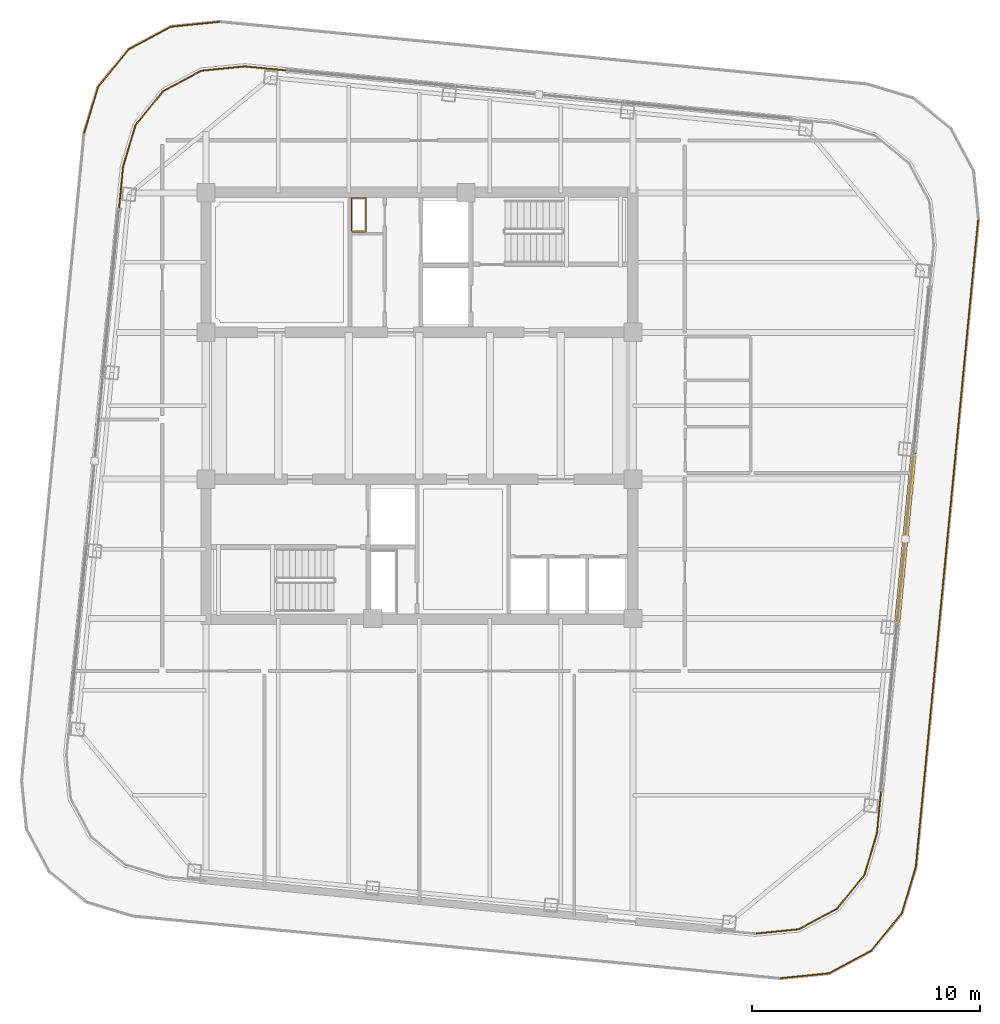
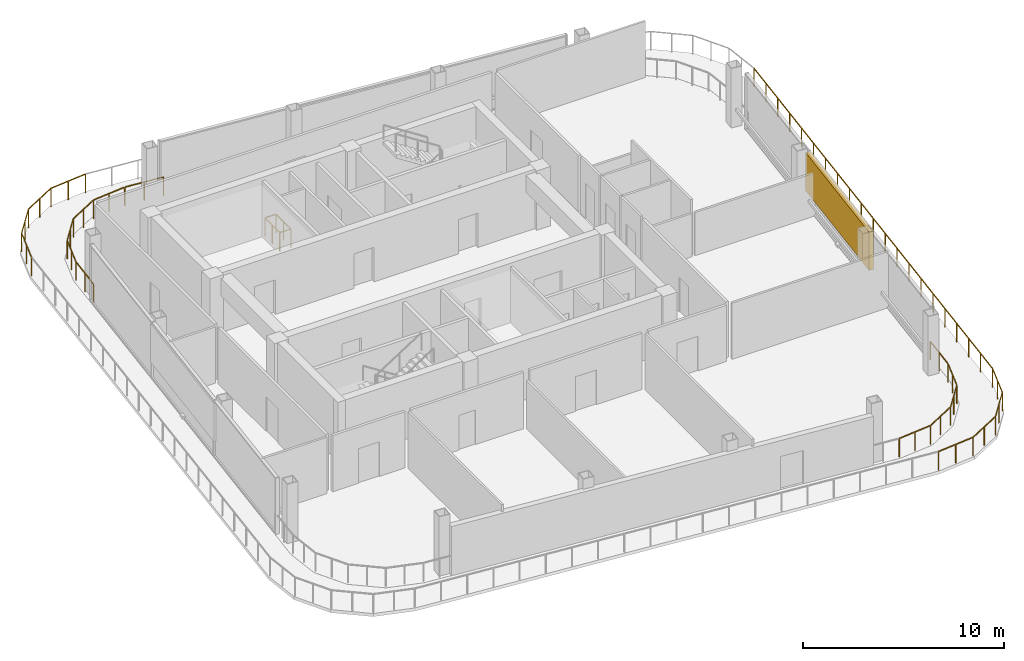
# One storey, part 21 of 23: 12 railings, 1 shading device.
"""IFC4 building model written with IfcOpenShell, lengths in metres."""

from ifc_helpers import new_model, si_unit, direction, frame, origin, origin_2d, place, context, subcontext, project, spatial, rectangle, extrude, material, type_object, element, save


model = new_model("IFC4")

# Units and contexts
model_context = context("Model", 3, precision=1e-05, world=origin(), true_north=direction((0.0, 1.0)))
body_context = subcontext(model_context, "Body", "Model", "MODEL_VIEW")
ifc_project = project(units=[si_unit("LENGTHUNIT", "METRE"), si_unit("AREAUNIT", "SQUARE_METRE"), si_unit("VOLUMEUNIT", "CUBIC_METRE"), si_unit("PLANEANGLEUNIT", "RADIAN"), si_unit("MASSUNIT", "GRAM", prefix="KILO")], contexts=[model_context])

# Site, building, storey
site_placement = place(None, origin())
site = spatial("IfcSite", under=ifc_project, at=site_placement, CompositionType="ELEMENT")
building_placement = place(site_placement, origin())
building = spatial("IfcBuilding", under=site, at=building_placement, Name="Qhalaya Broadcast Tower", CompositionType="ELEMENT")
storey_placement = place(building_placement, frame((0.0, 0.0, 276.949951171875)))
storey = spatial("IfcBuildingStorey", under=building, at=storey_placement, Name="L82", CompositionType="ELEMENT", Elevation=276.949951171875)

# Railings
ifc_material_1 = material(Name="Powder-Coated Galvanised Steel", Category="steel")
railing_type_1 = type_object("IfcRailingType", Name="Stair Well & Landing Guardrail 1100", PredefinedType="GUARDRAIL", material=ifc_material_1)
railing_1_placement = place(storey_placement, frame((-2.340087890625, 8.239990234375, 0.0)))
element("IfcRailing", 1, at=railing_1_placement, inside=storey, type_object=railing_type_1, Name="L82 Service Riser Opening Safety Guard NRSR", PredefinedType="GUARDRAIL", context=body_context, shape_type="SweptSolid", body=[
    extrude(rectangle(XDim=0.048095703125, YDim=0.048095703125, at=origin_2d()), frame((0.0, 0.02880859375, 1.1259765625), z_axis=(0.0, 1.0, 0.0), x_axis=(-1.0, 0.0, 0.0)), (0.0, 0.0, 1.0), 1.42236328125),
    extrude(rectangle(XDim=0.048095703125, YDim=0.048095703125, at=origin_2d()), frame((-0.02880859375, 1.47998046875, 1.1259765625), z_axis=(-1.0, 0.0, 0.0), x_axis=(0.0, -1.0, 0.0)), (0.0, 0.0, 1.0), 0.582275390625),
    extrude(rectangle(XDim=0.048095703125, YDim=0.048095703125, at=origin_2d()), frame((-0.639892578125, 1.451171875, 1.1259765625), z_axis=(0.0, -1.0, 0.0), x_axis=(1.0, 0.0, 0.0)), (0.0, 0.0, 1.0), 1.42236328125),
    extrude(rectangle(XDim=0.048095703125, YDim=0.048095703125, at=origin_2d()), frame((-0.611083984375, 0.0, 1.1259765625), z_axis=(1.0, 0.0, 0.0), x_axis=(0.0, 1.0, 0.0)), (0.0, 0.0, 1.0), 0.582275390625),
    extrude(rectangle(XDim=0.0419921875, YDim=0.0419921875, at=origin_2d()), origin(), (0.0, 0.0, 1.0), 1.099853515625),
    extrude(rectangle(XDim=0.0419921875, YDim=0.0419921875, at=origin_2d()), frame((0.0, 0.739990234375, 0.0)), (0.0, 0.0, 1.0), 1.099853515625),
    extrude(rectangle(XDim=0.0419921875, YDim=0.0419921875, at=origin_2d()), frame((0.0, 1.47998046875, 0.0)), (0.0, 0.0, 1.0), 1.099853515625),
    extrude(rectangle(XDim=0.0419921875, YDim=0.0419921875, at=origin_2d()), frame((-0.639892578125, 1.47998046875, 0.0)), (0.0, 0.0, 1.0), 1.099853515625),
    extrude(rectangle(XDim=0.0419921875, YDim=0.0419921875, at=origin_2d()), frame((-0.639892578125, 0.739990234375, 0.0)), (0.0, 0.0, 1.0), 1.099853515625),
    extrude(rectangle(XDim=0.0419921875, YDim=0.0419921875, at=origin_2d()), frame((-0.639892578125, 0.0, 0.0)), (0.0, 0.0, 1.0), 1.099853515625),
])
railing_type_2 = type_object("IfcRailingType", Name="Terrace, Sky-Pool & Lookout Glass Balustrade 1150", PredefinedType="BALUSTRADE", material=ifc_material_1)
railing_2_placement = place(storey_placement, frame((-14.719482421875, 12.576416015625, 0.0)))
element("IfcRailing", 2, at=railing_2_placement, inside=storey, type_object=railing_type_2, Name="L82 Perimeter Safety Balustrade BAL-TER1-07", PredefinedType="BALUSTRADE", context=body_context, shape_type="SweptSolid", body=[
    extrude(rectangle(XDim=0.048095703125, YDim=0.048095703125, at=origin_2d()), frame((0.0, 0.0, 1.1259765625), z_axis=(0.288170989429, 0.957578968467, 0.0), x_axis=(-0.957578968467, 0.288170989429, 0.0)), (0.0, 0.0, 1.0), 2.122314453125),
    extrude(rectangle(XDim=0.0419921875, YDim=0.0419921875, at=origin_2d()), origin(), (0.0, 0.0, 1.0), 1.099853515625),
    extrude(rectangle(XDim=0.0419921875, YDim=0.0419921875, at=origin_2d()), frame((0.3056640625, 1.01611328125, 0.0)), (0.0, 0.0, 1.0), 1.099853515625),
    extrude(rectangle(XDim=0.0419921875, YDim=0.0419921875, at=origin_2d()), frame((0.611572265625, 2.0322265625, 0.0)), (0.0, 0.0, 1.0), 1.099853515625),
])
railing_3_placement = place(storey_placement, frame((-14.10791015625, 14.608642578125, 0.0)))
element("IfcRailing", 3, at=railing_3_placement, inside=storey, type_object=railing_type_2, Name="L82 Perimeter Safety Balustrade BAL-TER1-08", PredefinedType="BALUSTRADE", context=body_context, shape_type="SweptSolid", body=[
    extrude(rectangle(XDim=0.048095703125, YDim=0.048095703125, at=origin_2d()), frame((0.0, 0.0, 1.1259765625), z_axis=(0.63277236839, 0.774337865406, 0.0), x_axis=(-0.774337865406, 0.63277236839, 0.0)), (0.0, 0.0, 1.0), 2.1142578125),
    extrude(rectangle(XDim=0.0419921875, YDim=0.0419921875, at=origin_2d()), origin(), (0.0, 0.0, 1.0), 1.099853515625),
    extrude(rectangle(XDim=0.0419921875, YDim=0.0419921875, at=origin_2d()), frame((0.6689453125, 0.818603515625, 0.0)), (0.0, 0.0, 1.0), 1.099853515625),
    extrude(rectangle(XDim=0.0419921875, YDim=0.0419921875, at=origin_2d()), frame((1.337890625, 1.63720703125, 0.0)), (0.0, 0.0, 1.0), 1.099853515625),
])
railing_4_placement = place(storey_placement, frame((-12.77001953125, 16.245849609375, 0.0)))
element("IfcRailing", 4, at=railing_4_placement, inside=storey, type_object=railing_type_2, Name="L82 Perimeter Safety Balustrade BAL-TER1-09", PredefinedType="BALUSTRADE", context=body_context, shape_type="SweptSolid", body=[
    extrude(rectangle(XDim=0.048095703125, YDim=0.048095703125, at=origin_2d()), frame((0.0, 0.0, 1.1259765625), z_axis=(0.880923105404, 0.473259423957, 0.0), x_axis=(-0.473259423957, 0.880923105404, 0.0)), (0.0, 0.0, 1.0), 2.114013671875),
    extrude(rectangle(XDim=0.0419921875, YDim=0.0419921875, at=origin_2d()), origin(), (0.0, 0.0, 1.0), 1.099853515625),
    extrude(rectangle(XDim=0.0419921875, YDim=0.0419921875, at=origin_2d()), frame((0.93115234375, 0.500244140625, 0.0)), (0.0, 0.0, 1.0), 1.099853515625),
    extrude(rectangle(XDim=0.0419921875, YDim=0.0419921875, at=origin_2d()), frame((1.8623046875, 1.00048828125, 0.0)), (0.0, 0.0, 1.0), 1.099853515625),
])
railing_5_placement = place(storey_placement, frame((-10.90771484375, 17.246337890625, 0.0)))
element("IfcRailing", 5, at=railing_5_placement, inside=storey, type_object=railing_type_2, Name="L82 Perimeter Safety Balustrade BAL-TER1-10", PredefinedType="BALUSTRADE", context=body_context, shape_type="SweptSolid", body=[
    extrude(rectangle(XDim=0.048095703125, YDim=0.048095703125, at=origin_2d()), frame((0.0, 0.0, 1.1259765625), z_axis=(0.99496746898, 0.100198481383, 0.0), x_axis=(-0.100198481383, 0.99496746898, 0.0)), (0.0, 0.0, 1.0), 2.122314453125),
    extrude(rectangle(XDim=0.0419921875, YDim=0.0419921875, at=origin_2d()), origin(), (0.0, 0.0, 1.0), 1.099853515625),
    extrude(rectangle(XDim=0.0419921875, YDim=0.0419921875, at=origin_2d()), frame((1.0556640625, 0.1064453125, 0.0)), (0.0, 0.0, 1.0), 1.099853515625),
    extrude(rectangle(XDim=0.0419921875, YDim=0.0419921875, at=origin_2d()), frame((2.111572265625, 0.212646484375, 0.0)), (0.0, 0.0, 1.0), 1.099853515625),
])
railing_6_placement = place(storey_placement, frame((24.5390625, 8.796142578125, 0.0)))
element("IfcRailing", 6, at=railing_6_placement, inside=storey, type_object=railing_type_2, Name="L82 Perimeter Safety Balustrade BAL-TER1-16", PredefinedType="BALUSTRADE", context=body_context, shape_type="SweptSolid", body=[
    extrude(rectangle(XDim=0.048095703125, YDim=0.048095703125, at=origin_2d()), frame((0.0, 0.0, 1.1259765625), z_axis=(-0.095848136823, -0.995395968782, 0.0), x_axis=(0.995395968782, -0.095848136823, 0.0)), (0.0, 0.0, 1.0), 28.584228515625),
    extrude(rectangle(XDim=0.0419921875, YDim=0.0419921875, at=origin_2d()), origin(), (0.0, 0.0, 1.0), 1.099853515625),
    extrude(rectangle(XDim=0.0419921875, YDim=0.0419921875, at=origin_2d()), frame((-0.136962890625, -1.422607421875, 0.0)), (0.0, 0.0, 1.0), 1.099853515625),
    extrude(rectangle(XDim=0.0419921875, YDim=0.0419921875, at=origin_2d()), frame((-0.27392578125, -2.84521484375, 0.0)), (0.0, 0.0, 1.0), 1.099853515625),
    extrude(rectangle(XDim=0.0419921875, YDim=0.0419921875, at=origin_2d()), frame((-0.410888671875, -4.267822265625, 0.0)), (0.0, 0.0, 1.0), 1.099853515625),
    extrude(rectangle(XDim=0.0419921875, YDim=0.0419921875, at=origin_2d()), frame((-0.5478515625, -5.6904296875, 0.0)), (0.0, 0.0, 1.0), 1.099853515625),
    extrude(rectangle(XDim=0.0419921875, YDim=0.0419921875, at=origin_2d()), frame((-0.68505859375, -7.11328125, 0.0)), (0.0, 0.0, 1.0), 1.099853515625),
    extrude(rectangle(XDim=0.0419921875, YDim=0.0419921875, at=origin_2d()), frame((-0.822021484375, -8.535888671875, 0.0)), (0.0, 0.0, 1.0), 1.099853515625),
    extrude(rectangle(XDim=0.0419921875, YDim=0.0419921875, at=origin_2d()), frame((-0.958984375, -9.95849609375, 0.0)), (0.0, 0.0, 1.0), 1.099853515625),
    extrude(rectangle(XDim=0.0419921875, YDim=0.0419921875, at=origin_2d()), frame((-1.095947265625, -11.381103515625, 0.0)), (0.0, 0.0, 1.0), 1.099853515625),
    extrude(rectangle(XDim=0.0419921875, YDim=0.0419921875, at=origin_2d()), frame((-1.23291015625, -12.8037109375, 0.0)), (0.0, 0.0, 1.0), 1.099853515625),
    extrude(rectangle(XDim=0.0419921875, YDim=0.0419921875, at=origin_2d()), frame((-1.369873046875, -14.226318359375, 0.0)), (0.0, 0.0, 1.0), 1.099853515625),
    extrude(rectangle(XDim=0.0419921875, YDim=0.0419921875, at=origin_2d()), frame((-1.5068359375, -15.64892578125, 0.0)), (0.0, 0.0, 1.0), 1.099853515625),
    extrude(rectangle(XDim=0.0419921875, YDim=0.0419921875, at=origin_2d()), frame((-1.643798828125, -17.071533203125, 0.0)), (0.0, 0.0, 1.0), 1.099853515625),
    extrude(rectangle(XDim=0.0419921875, YDim=0.0419921875, at=origin_2d()), frame((-1.78076171875, -18.494140625, 0.0)), (0.0, 0.0, 1.0), 1.099853515625),
    extrude(rectangle(XDim=0.0419921875, YDim=0.0419921875, at=origin_2d()), frame((-1.917724609375, -19.916748046875, 0.0)), (0.0, 0.0, 1.0), 1.099853515625),
    extrude(rectangle(XDim=0.0419921875, YDim=0.0419921875, at=origin_2d()), frame((-2.0546875, -21.33935546875, 0.0)), (0.0, 0.0, 1.0), 1.099853515625),
    extrude(rectangle(XDim=0.0419921875, YDim=0.0419921875, at=origin_2d()), frame((-2.19189453125, -22.76220703125, 0.0)), (0.0, 0.0, 1.0), 1.099853515625),
    extrude(rectangle(XDim=0.0419921875, YDim=0.0419921875, at=origin_2d()), frame((-2.328857421875, -24.184814453125, 0.0)), (0.0, 0.0, 1.0), 1.099853515625),
    extrude(rectangle(XDim=0.0419921875, YDim=0.0419921875, at=origin_2d()), frame((-2.4658203125, -25.607421875, 0.0)), (0.0, 0.0, 1.0), 1.099853515625),
    extrude(rectangle(XDim=0.0419921875, YDim=0.0419921875, at=origin_2d()), frame((-2.602783203125, -27.030029296875, 0.0)), (0.0, 0.0, 1.0), 1.099853515625),
    extrude(rectangle(XDim=0.0419921875, YDim=0.0419921875, at=origin_2d()), frame((-2.73974609375, -28.45263671875, 0.0)), (0.0, 0.0, 1.0), 1.099853515625),
])
railing_7_placement = place(storey_placement, frame((21.79931640625, -19.656494140625, 0.0)))
element("IfcRailing", 7, at=railing_7_placement, inside=storey, type_object=railing_type_2, Name="L82 Perimeter Safety Balustrade BAL-TER1-17", PredefinedType="BALUSTRADE", context=body_context, shape_type="SweptSolid", body=[
    extrude(rectangle(XDim=0.048095703125, YDim=0.048095703125, at=origin_2d()), frame((0.0, 0.0, 1.1259765625), z_axis=(-0.288170989429, -0.957578968467, 0.0), x_axis=(0.957578968467, -0.288170989429, 0.0)), (0.0, 0.0, 1.0), 2.122314453125),
    extrude(rectangle(XDim=0.0419921875, YDim=0.0419921875, at=origin_2d()), origin(), (0.0, 0.0, 1.0), 1.099853515625),
    extrude(rectangle(XDim=0.0419921875, YDim=0.0419921875, at=origin_2d()), frame((-0.3056640625, -1.01611328125, 0.0)), (0.0, 0.0, 1.0), 1.099853515625),
    extrude(rectangle(XDim=0.0419921875, YDim=0.0419921875, at=origin_2d()), frame((-0.611572265625, -2.0322265625, 0.0)), (0.0, 0.0, 1.0), 1.099853515625),
])
railing_8_placement = place(storey_placement, frame((21.187744140625, -21.688720703125, 0.0)))
element("IfcRailing", 8, at=railing_8_placement, inside=storey, type_object=railing_type_2, Name="L82 Perimeter Safety Balustrade BAL-TER1-18", PredefinedType="BALUSTRADE", context=body_context, shape_type="SweptSolid", body=[
    extrude(rectangle(XDim=0.048095703125, YDim=0.048095703125, at=origin_2d()), frame((0.0, 0.0, 1.1259765625), z_axis=(-0.632759708547, -0.774348210587, 0.0), x_axis=(0.774348210587, -0.632759708547, 0.0)), (0.0, 0.0, 1.0), 2.114013671875),
    extrude(rectangle(XDim=0.0419921875, YDim=0.0419921875, at=origin_2d()), origin(), (0.0, 0.0, 1.0), 1.099853515625),
    extrude(rectangle(XDim=0.0419921875, YDim=0.0419921875, at=origin_2d()), frame((-0.6689453125, -0.818359375, 0.0)), (0.0, 0.0, 1.0), 1.099853515625),
    extrude(rectangle(XDim=0.0419921875, YDim=0.0419921875, at=origin_2d()), frame((-1.337646484375, -1.636962890625, 0.0)), (0.0, 0.0, 1.0), 1.099853515625),
])
railing_9_placement = place(storey_placement, frame((19.85009765625, -23.32568359375, 0.0)))
element("IfcRailing", 9, at=railing_9_placement, inside=storey, type_object=railing_type_2, Name="L82 Perimeter Safety Balustrade BAL-TER1-19", PredefinedType="BALUSTRADE", context=body_context, shape_type="SweptSolid", body=[
    extrude(rectangle(XDim=0.048095703125, YDim=0.048095703125, at=origin_2d()), frame((0.0, 0.0, 1.1259765625), z_axis=(-0.880874956993, -0.473349036276, 0.0), x_axis=(0.473349036276, -0.880874956993, 0.0)), (0.0, 0.0, 1.0), 2.1142578125),
    extrude(rectangle(XDim=0.0419921875, YDim=0.0419921875, at=origin_2d()), origin(), (0.0, 0.0, 1.0), 1.099853515625),
    extrude(rectangle(XDim=0.0419921875, YDim=0.0419921875, at=origin_2d()), frame((-0.93115234375, -0.50048828125, 0.0)), (0.0, 0.0, 1.0), 1.099853515625),
    extrude(rectangle(XDim=0.0419921875, YDim=0.0419921875, at=origin_2d()), frame((-1.8623046875, -1.000732421875, 0.0)), (0.0, 0.0, 1.0), 1.099853515625),
])
railing_10_placement = place(storey_placement, frame((17.98779296875, -24.326416015625, 0.0)))
element("IfcRailing", 10, at=railing_10_placement, inside=storey, type_object=railing_type_2, Name="L82 Perimeter Safety Balustrade BAL-TER1-20", PredefinedType="BALUSTRADE", context=body_context, shape_type="SweptSolid", body=[
    extrude(rectangle(XDim=0.048095703125, YDim=0.048095703125, at=origin_2d()), frame((0.0, 0.0, 1.1259765625), z_axis=(-0.99496746898, -0.100198481383, 0.0), x_axis=(0.100198481383, -0.99496746898, 0.0)), (0.0, 0.0, 1.0), 2.122314453125),
    extrude(rectangle(XDim=0.0419921875, YDim=0.0419921875, at=origin_2d()), origin(), (0.0, 0.0, 1.0), 1.099853515625),
    extrude(rectangle(XDim=0.0419921875, YDim=0.0419921875, at=origin_2d()), frame((-1.0556640625, -0.1064453125, 0.0)), (0.0, 0.0, 1.0), 1.099853515625),
    extrude(rectangle(XDim=0.0419921875, YDim=0.0419921875, at=origin_2d()), frame((-2.111572265625, -0.212646484375, 0.0)), (0.0, 0.0, 1.0), 1.099853515625),
])
railing_11_placement = place(storey_placement, frame((-13.2158203125, 8.99365234375, 0.0)))
element("IfcRailing", 11, at=railing_11_placement, inside=storey, type_object=railing_type_2, Name="L82 Rounded Corner Perimeter Guard 03", PredefinedType="BALUSTRADE", context=body_context, shape_type="SweptSolid", body=[
    extrude(rectangle(XDim=0.048095703125, YDim=0.048095703125, at=origin_2d()), frame((0.0, 0.0, 1.1259765625), z_axis=(0.095896889673, 0.995391273094, 0.0), x_axis=(-0.995391273094, 0.095896889673, 0.0)), (0.0, 0.0, 1.0), 2.08935546875),
    extrude(rectangle(XDim=0.048095703125, YDim=0.048095703125, at=origin_2d()), frame((0.21142578125, 2.135986328125, 1.1259765625), z_axis=(0.288096282124, 0.957601447485, 0.0), x_axis=(-0.957601447485, 0.288096282124, 0.0)), (0.0, 0.0, 1.0), 1.857421875),
    extrude(rectangle(XDim=0.048095703125, YDim=0.048095703125, at=origin_2d()), frame((0.773193359375, 3.96484375, 1.1259765625), z_axis=(0.63274871945, 0.774357190213, 0.0), x_axis=(-0.774357190213, 0.63274871945, 0.0)), (0.0, 0.0, 1.0), 1.845703125),
    extrude(rectangle(XDim=0.048095703125, YDim=0.048095703125, at=origin_2d()), frame((1.984619140625, 5.429931640625, 1.1259765625), z_axis=(0.880878554058, 0.473342342286, 0.0), x_axis=(-0.473342342286, 0.880878554058, 0.0)), (0.0, 0.0, 1.0), 1.845458984375),
    extrude(rectangle(XDim=0.048095703125, YDim=0.048095703125, at=origin_2d()), frame((3.66455078125, 6.320068359375, 1.1259765625), z_axis=(0.994980230152, 0.100071682341, 0.0), x_axis=(-0.100071682341, 0.994980230152, 0.0)), (0.0, 0.0, 1.0), 1.857421875),
    extrude(rectangle(XDim=0.048095703125, YDim=0.048095703125, at=origin_2d()), frame((5.570068359375, 6.506103515625, 1.1259765625), z_axis=(0.995402268864, -0.095782687057, 0.0), x_axis=(0.095782687057, 0.995402268864, 0.0)), (0.0, 0.0, 1.0), 2.08935546875),
    extrude(rectangle(XDim=0.0419921875, YDim=0.0419921875, at=origin_2d()), origin(), (0.0, 0.0, 1.0), 1.099853515625),
    extrude(rectangle(XDim=0.0419921875, YDim=0.0419921875, at=origin_2d()), frame((0.1015625, 1.05419921875, 0.0)), (0.0, 0.0, 1.0), 1.099853515625),
    extrude(rectangle(XDim=0.0419921875, YDim=0.0419921875, at=origin_2d()), frame((0.203125, 2.1083984375, 0.0)), (0.0, 0.0, 1.0), 1.099853515625),
    extrude(rectangle(XDim=0.0419921875, YDim=0.0419921875, at=origin_2d()), frame((0.47900390625, 3.025390625, 0.0)), (0.0, 0.0, 1.0), 1.099853515625),
    extrude(rectangle(XDim=0.0419921875, YDim=0.0419921875, at=origin_2d()), frame((0.7548828125, 3.9423828125, 0.0)), (0.0, 0.0, 1.0), 1.099853515625),
    extrude(rectangle(XDim=0.0419921875, YDim=0.0419921875, at=origin_2d()), frame((1.35693359375, 4.67919921875, 0.0)), (0.0, 0.0, 1.0), 1.099853515625),
    extrude(rectangle(XDim=0.0419921875, YDim=0.0419921875, at=origin_2d()), frame((1.959228515625, 5.416259765625, 0.0)), (0.0, 0.0, 1.0), 1.099853515625),
    extrude(rectangle(XDim=0.0419921875, YDim=0.0419921875, at=origin_2d()), frame((2.79736328125, 5.86669921875, 0.0)), (0.0, 0.0, 1.0), 1.099853515625),
    extrude(rectangle(XDim=0.0419921875, YDim=0.0419921875, at=origin_2d()), frame((3.6357421875, 6.317138671875, 0.0)), (0.0, 0.0, 1.0), 1.099853515625),
    extrude(rectangle(XDim=0.0419921875, YDim=0.0419921875, at=origin_2d()), frame((4.58837890625, 6.4130859375, 0.0)), (0.0, 0.0, 1.0), 1.099853515625),
    extrude(rectangle(XDim=0.0419921875, YDim=0.0419921875, at=origin_2d()), frame((5.541259765625, 6.5087890625, 0.0)), (0.0, 0.0, 1.0), 1.099853515625),
    extrude(rectangle(XDim=0.0419921875, YDim=0.0419921875, at=origin_2d()), frame((6.595458984375, 6.4072265625, 0.0)), (0.0, 0.0, 1.0), 1.099853515625),
    extrude(rectangle(XDim=0.0419921875, YDim=0.0419921875, at=origin_2d()), frame((7.649658203125, 6.305908203125, 0.0)), (0.0, 0.0, 1.0), 1.099853515625),
])
railing_12_placement = place(storey_placement, frame((20.2958984375, -16.07373046875, 0.0)))
element("IfcRailing", 12, at=railing_12_placement, inside=storey, type_object=railing_type_2, Name="L82 Rounded Corner Perimeter Guard 05", PredefinedType="BALUSTRADE", context=body_context, shape_type="SweptSolid", body=[
    extrude(rectangle(XDim=0.048095703125, YDim=0.048095703125, at=origin_2d()), frame((0.0, 0.0, 1.1259765625), z_axis=(-0.095896889673, -0.995391273094, 0.0), x_axis=(0.995391273094, -0.095896889673, 0.0)), (0.0, 0.0, 1.0), 2.08935546875),
    extrude(rectangle(XDim=0.048095703125, YDim=0.048095703125, at=origin_2d()), frame((-0.21142578125, -2.135986328125, 1.1259765625), z_axis=(-0.288096282124, -0.957601447485, 0.0), x_axis=(0.957601447485, -0.288096282124, 0.0)), (0.0, 0.0, 1.0), 1.857421875),
    extrude(rectangle(XDim=0.048095703125, YDim=0.048095703125, at=origin_2d()), frame((-0.773193359375, -3.96484375, 1.1259765625), z_axis=(-0.63274871945, -0.774357190213, 0.0), x_axis=(0.774357190213, -0.63274871945, 0.0)), (0.0, 0.0, 1.0), 1.845703125),
    extrude(rectangle(XDim=0.048095703125, YDim=0.048095703125, at=origin_2d()), frame((-1.984619140625, -5.429931640625, 1.1259765625), z_axis=(-0.880932037714, -0.473242797018, 0.0), x_axis=(0.473242797018, -0.880932037714, 0.0)), (0.0, 0.0, 1.0), 1.845458984375),
    extrude(rectangle(XDim=0.048095703125, YDim=0.048095703125, at=origin_2d()), frame((-3.66455078125, -6.31982421875, 1.1259765625), z_axis=(-0.994967529225, -0.100197883148, 0.0), x_axis=(0.100197883148, -0.994967529225, 0.0)), (0.0, 0.0, 1.0), 1.88623046875),
    extrude(rectangle(XDim=0.0419921875, YDim=0.0419921875, at=origin_2d()), origin(), (0.0, 0.0, 1.0), 1.099853515625),
    extrude(rectangle(XDim=0.0419921875, YDim=0.0419921875, at=origin_2d()), frame((-0.1015625, -1.05419921875, 0.0)), (0.0, 0.0, 1.0), 1.099853515625),
    extrude(rectangle(XDim=0.0419921875, YDim=0.0419921875, at=origin_2d()), frame((-0.203125, -2.1083984375, 0.0)), (0.0, 0.0, 1.0), 1.099853515625),
    extrude(rectangle(XDim=0.0419921875, YDim=0.0419921875, at=origin_2d()), frame((-0.47900390625, -3.025390625, 0.0)), (0.0, 0.0, 1.0), 1.099853515625),
    extrude(rectangle(XDim=0.0419921875, YDim=0.0419921875, at=origin_2d()), frame((-0.7548828125, -3.9423828125, 0.0)), (0.0, 0.0, 1.0), 1.099853515625),
    extrude(rectangle(XDim=0.0419921875, YDim=0.0419921875, at=origin_2d()), frame((-1.35693359375, -4.67919921875, 0.0)), (0.0, 0.0, 1.0), 1.099853515625),
    extrude(rectangle(XDim=0.0419921875, YDim=0.0419921875, at=origin_2d()), frame((-1.959228515625, -5.416259765625, 0.0)), (0.0, 0.0, 1.0), 1.099853515625),
    extrude(rectangle(XDim=0.0419921875, YDim=0.0419921875, at=origin_2d()), frame((-2.79736328125, -5.86669921875, 0.0)), (0.0, 0.0, 1.0), 1.099853515625),
    extrude(rectangle(XDim=0.0419921875, YDim=0.0419921875, at=origin_2d()), frame((-3.6357421875, -6.31689453125, 0.0)), (0.0, 0.0, 1.0), 1.099853515625),
    extrude(rectangle(XDim=0.0419921875, YDim=0.0419921875, at=origin_2d()), frame((-4.58837890625, -6.412841796875, 0.0)), (0.0, 0.0, 1.0), 1.099853515625),
    extrude(rectangle(XDim=0.0419921875, YDim=0.0419921875, at=origin_2d()), frame((-5.541259765625, -6.5087890625, 0.0)), (0.0, 0.0, 1.0), 1.099853515625),
])

# Shading device
ifc_material_2 = material(Name="Fired Architectural Terracotta", Category="masonry")
shading_device_type = type_object("IfcShadingDeviceType", Name="Terracotta Baguette Solar Screen Assembly TBS-01", PredefinedType="USERDEFINED", material=ifc_material_2)
shading_device_placement = place(storey_placement, frame((21.337646484375, -5.25390625, 0.95458984375), z_axis=(0.0, 0.0, 1.0), x_axis=(0.09584575252, 0.995396198367, 0.0)))
element("IfcShadingDevice", 13, at=shading_device_placement, inside=storey, type_object=shading_device_type, Name="L82 Fired Terracotta Baguette Screen E", ObjectType="BAGUETTE", PredefinedType="USERDEFINED", context=body_context, shape_type="SweptSolid", body=[
    extrude(rectangle(XDim=7.60009765625, YDim=0.239990234375, at=origin_2d()), origin(), (0.0, 0.0, 1.0), 2.319091796875),
])

save(model, "model.ifc")
